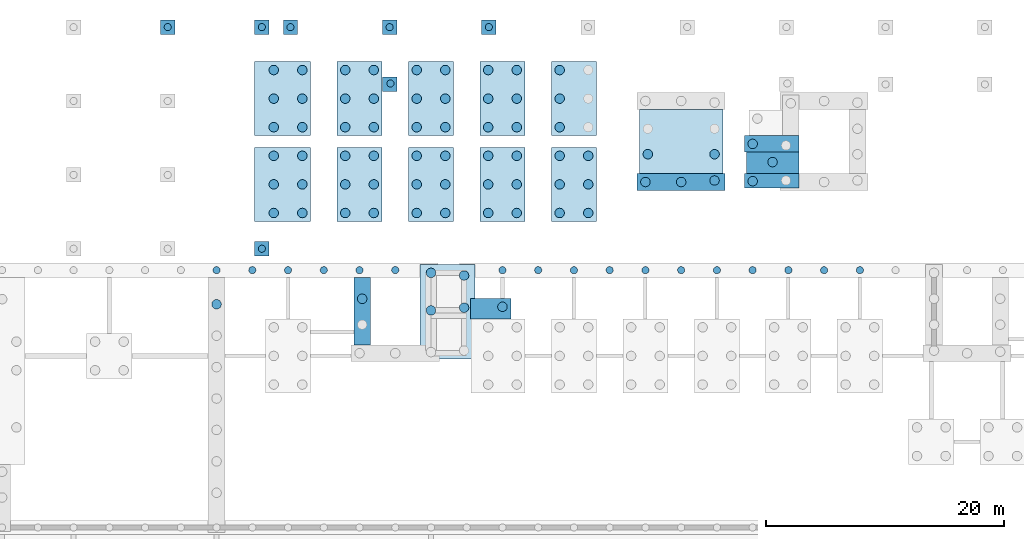
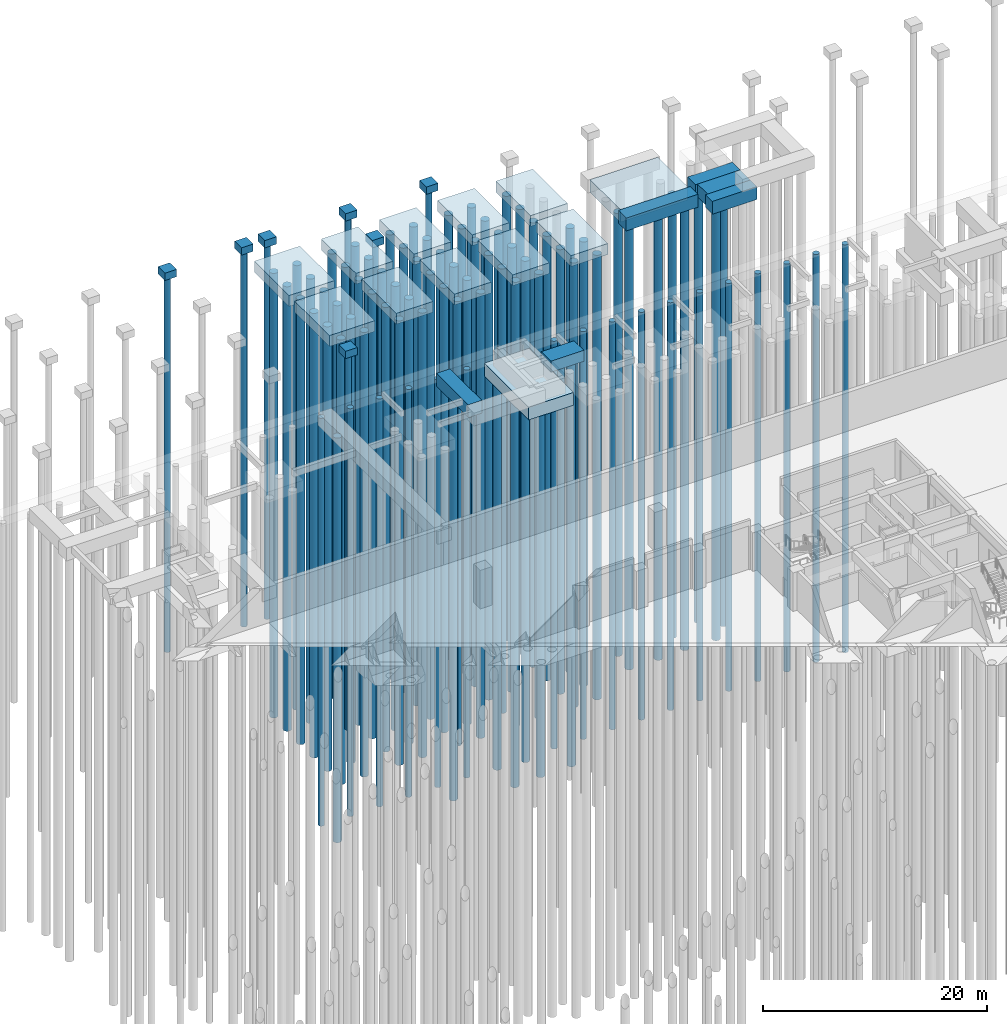
# One storey, part 6 of 37: 96 piles, 25 footings.
"""IFC4 building model written with IfcOpenShell, lengths in metres."""

import ifcopenshell
import ifcopenshell.guid

model = None  # the IFC model being written
_history = None  # IfcOwnerHistory: only IFC2X3 demands one
_inside = {}  # id of a spatial element -> (the spatial element, [elements in it])
_under = {}  # id of a project, library or spatial element -> (it, [spatial elements below it])
_declared = {}  # id of a project -> (the project, [libraries it declares])
_typed = {}  # id of a type object -> (the type object, [elements of that type])
_made_of = {}  # id of a material, layer set ... -> (it, [elements and type objects made of it])


def new_model(schema):
    """Start an empty IFC model of exactly this schema.

    Asked for "IFC4X3", IfcOpenShell would pick the latest addendum, in which some entities
    have other attributes; the version numbers below select the first issue.
    IFC2X3 requires an IfcOwnerHistory on every rooted entity: one is made here for all.
    """
    global model, _history
    if schema == "IFC4X3":
        model = ifcopenshell.file(schema_version=(4, 3, 0, 0))
    else:
        model = ifcopenshell.file(schema=schema)
    _inside.clear()
    _under.clear()
    _declared.clear()
    _typed.clear()
    _made_of.clear()
    _history = None
    if model.schema == "IFC2X3":
        org = make("IfcOrganization", Name="unknown")
        user = make(
            "IfcPersonAndOrganization",
            ThePerson=make("IfcPerson", FamilyName="unknown"),
            TheOrganization=org,
        )
        app = make(
            "IfcApplication",
            ApplicationDeveloper=org,
            Version="unknown",
            ApplicationFullName="unknown",
            ApplicationIdentifier="unknown",
        )
        _history = make(
            "IfcOwnerHistory",
            OwningUser=user,
            OwningApplication=app,
            ChangeAction="ADDED",
            CreationDate=0,
        )
    return model


def make(cls, **values):
    """One entity of the class cls with the attributes given. An attribute that is None is left unset."""
    return model.create_entity(
        cls, **{name: value for name, value in values.items() if value is not None}
    )


def rooted(cls, **values):
    """An entity with a GlobalId (a new one), such as an element, a storey or a relation."""
    return make(cls, GlobalId=ifcopenshell.guid.new(), OwnerHistory=_history, **values)


def si_unit(unit_type, name, prefix=None):
    """IfcSIUnit, for example si_unit("LENGTHUNIT", "METRE", prefix="MILLI")."""
    return make("IfcSIUnit", UnitType=unit_type, Prefix=prefix, Name=name)


def assignment(units):
    """IfcUnitAssignment: the units of a project."""
    return None if units is None else make("IfcUnitAssignment", Units=units)


def point(xyz):
    """IfcCartesianPoint."""
    return None if xyz is None else make("IfcCartesianPoint", Coordinates=xyz)


def direction(xyz):
    """IfcDirection."""
    return None if xyz is None else make("IfcDirection", DirectionRatios=xyz)


def frame(location, z_axis=None, x_axis=None):
    """IfcAxis2Placement3D, a coordinate frame: its origin and axes. An axis left out is left unset."""
    return make(
        "IfcAxis2Placement3D",
        Location=point(location),
        Axis=direction(z_axis),
        RefDirection=direction(x_axis),
    )


def frame_2d(location, x_axis=None):
    """IfcAxis2Placement2D, a coordinate frame in the plane: its origin and x axis."""
    return make(
        "IfcAxis2Placement2D", Location=point(location), RefDirection=direction(x_axis)
    )


def origin():
    """The frame at (0, 0, 0) with its axes left unset."""
    return frame((0.0, 0.0, 0.0))


def origin_2d():
    """The frame at (0, 0) in the plane with its x axis left unset."""
    return frame_2d((0.0, 0.0))


def place(relative_to, where):
    """IfcLocalPlacement: puts the frame where relative to a parent placement (None: the world)."""
    return make(
        "IfcLocalPlacement", PlacementRelTo=relative_to, RelativePlacement=where
    )


def context(
    kind, dimensions, precision=None, world=None, true_north=None, identifier=None
):
    """IfcGeometricRepresentationContext, for example the 3D "Model" context."""
    return make(
        "IfcGeometricRepresentationContext",
        ContextIdentifier=identifier,
        ContextType=kind,
        CoordinateSpaceDimension=dimensions,
        Precision=precision,
        WorldCoordinateSystem=world,
        TrueNorth=true_north,
    )


def subcontext(parent, identifier, kind, view, scale=None):
    """IfcGeometricRepresentationSubContext, for example "Body" below "Model"."""
    return make(
        "IfcGeometricRepresentationSubContext",
        ContextIdentifier=identifier,
        ContextType=kind,
        ParentContext=parent,
        TargetScale=scale,
        TargetView=view,
    )


def project(units=None, contexts=None):
    """IfcProject with its units and contexts."""
    return rooted(
        "IfcProject",
        Name="project",
        RepresentationContexts=contexts,
        UnitsInContext=assignment(units),
    )


def spatial(cls, under=None, at=None, **own):
    """A site, building, storey or space (cls), placed at a placement, below another one or the project."""
    s = rooted(cls, ObjectPlacement=at, **own)
    if under is not None:
        _under.setdefault(under.id(), (under, []))[1].append(s)
    return s


def polyline(points):
    """IfcPolyline through the points."""
    return make("IfcPolyline", Points=[point(p) for p in points])


def profile(cls, at=None, kind="AREA", **sizes):
    """A parametric profile (cls). Its sizes go by their IFC names, for example OverallWidth=200.0."""
    return make(cls, ProfileType=kind, Position=at, **sizes)


def circle(**sizes):
    """IfcCircleProfileDef."""
    return profile("IfcCircleProfileDef", **sizes)


def outline(outer, holes=None, kind="AREA"):
    """IfcArbitraryClosedProfileDef: a profile drawn as a closed curve; with holes, ...WithVoids."""
    if holes is None:
        return make("IfcArbitraryClosedProfileDef", ProfileType=kind, OuterCurve=outer)
    return make(
        "IfcArbitraryProfileDefWithVoids",
        ProfileType=kind,
        OuterCurve=outer,
        InnerCurves=holes,
    )


def extrude(swept, where, along, depth):
    """IfcExtrudedAreaSolid: the profile swept, set in the frame where, extruded along a direction by depth."""
    return make(
        "IfcExtrudedAreaSolid",
        SweptArea=swept,
        Position=where,
        ExtrudedDirection=direction(along),
        Depth=depth,
    )


def shape(context_of_items, identifier, shape_type, items):
    """IfcShapeRepresentation: the items that make up one representation, for example the "Body"."""
    return make(
        "IfcShapeRepresentation",
        ContextOfItems=context_of_items,
        RepresentationIdentifier=identifier,
        RepresentationType=shape_type,
        Items=items,
    )


def material(Name=None, Category=None):
    """IfcMaterial."""
    return make("IfcMaterial", Name=Name, Category=Category)


def layer(
    of_material, thickness, ventilated=None, Name=None, Category=None, Priority=None
):
    """IfcMaterialLayer: one layer of a wall or slab, of a material (None: an air gap)."""
    return make(
        "IfcMaterialLayer",
        Material=of_material,
        LayerThickness=thickness,
        IsVentilated=ventilated,
        Name=Name,
        Category=Category,
        Priority=Priority,
    )


def layer_set(layers, Name=None):
    """IfcMaterialLayerSet."""
    return make("IfcMaterialLayerSet", MaterialLayers=layers, LayerSetName=Name)


def material_profile(
    of_material, cross_section, Name=None, Category=None, Priority=None
):
    """IfcMaterialProfile: a cross section and its material."""
    return make(
        "IfcMaterialProfile",
        Name=Name,
        Material=of_material,
        Profile=cross_section,
        Priority=Priority,
        Category=Category,
    )


def profile_set(profiles, Name=None, composite=None):
    """IfcMaterialProfileSet."""
    return make(
        "IfcMaterialProfileSet",
        Name=Name,
        MaterialProfiles=profiles,
        CompositeProfile=composite,
    )


def made_of(thing, what):
    """Note that an element or type object is made of a material, layer set ...; save() writes the relation."""
    if what is not None:
        _made_of.setdefault(what.id(), (what, []))[1].append(thing)
    return thing


def type_object(cls, material=None, **own):
    """A type object (cls), such as IfcWallType, which elements share."""
    return made_of(rooted(cls, **own), material)


def element(
    cls,
    number,
    at=None,
    inside=None,
    cuts=None,
    type_object=None,
    material=None,
    context=None,
    identifier="Body",
    shape_type=None,
    held_by="IfcProductDefinitionShape",
    body=None,
    shapes=None,
    **own,
):
    """One element of the class cls, such as IfcWall. Its Tag is "e" and its number.

    at: its placement. inside: the storey or other place that contains it. cuts: it is an
    opening in that element (IfcRelVoidsElement). A single representation is given by context,
    identifier, shape_type and body (its items); several are given by shapes. held_by: the class
    of the entity that holds the representations. save() writes the other relations.
    """
    e = rooted(cls, Tag="e%d" % number, ObjectPlacement=at, **own)
    if body is not None:
        shapes = [shape(context, identifier, shape_type, body)]
    if shapes is not None:
        e.Representation = make(held_by, Representations=shapes)
    if inside is not None:
        _inside.setdefault(inside.id(), (inside, []))[1].append(e)
    if cuts is not None:
        rooted(
            "IfcRelVoidsElement", RelatingBuildingElement=cuts, RelatedOpeningElement=e
        )
    if type_object is not None:
        _typed.setdefault(type_object.id(), (type_object, []))[1].append(e)
    return made_of(e, material)


def aggregate(whole, parts):
    """IfcRelAggregates: a whole, such as a stair, and the parts it consists of."""
    return rooted("IfcRelAggregates", RelatingObject=whole, RelatedObjects=parts)


def save(model, path):
    """Write the relations noted so far, then the file.

    IfcRelAggregates (storeys below a building ...), IfcRelContainedInSpatialStructure (elements
    in a storey), IfcRelDefinesByType, IfcRelAssociatesMaterial and IfcRelDeclares: one each for
    every whole, place, type object, material and project.
    """
    for whole, parts in _under.values():
        aggregate(whole, parts)
    for where, things in _inside.values():
        rooted(
            "IfcRelContainedInSpatialStructure",
            RelatedElements=things,
            RelatingStructure=where,
        )
    for kind, things in _typed.values():
        rooted("IfcRelDefinesByType", RelatedObjects=things, RelatingType=kind)
    for what, things in _made_of.values():
        rooted("IfcRelAssociatesMaterial", RelatedObjects=things, RelatingMaterial=what)
    for by, libraries in _declared.values():
        rooted("IfcRelDeclares", RelatingContext=by, RelatedDefinitions=libraries)
    model.write(path)


model = new_model("IFC4")

# Units and contexts
model_context = context("Model", 3, precision=1e-05, world=origin(), true_north=direction((0.0, 1.0)))
body_context = subcontext(model_context, "Body", "Model", "MODEL_VIEW")
ifc_project = project(units=[si_unit("LENGTHUNIT", "METRE"), si_unit("AREAUNIT", "SQUARE_METRE"), si_unit("VOLUMEUNIT", "CUBIC_METRE"), si_unit("PLANEANGLEUNIT", "RADIAN"), si_unit("MASSUNIT", "GRAM", prefix="KILO")], contexts=[model_context])

# Site, building, storey
site_placement = place(None, origin())
site = spatial("IfcSite", under=ifc_project, at=site_placement, CompositionType="ELEMENT")
building_placement = place(site_placement, origin())
building = spatial("IfcBuilding", under=site, at=building_placement, Name="Laocheng Heights Fire and Rescue Headquarters", CompositionType="ELEMENT")
storey_placement = place(building_placement, origin())
storey = spatial("IfcBuildingStorey", under=building, at=storey_placement, Name="L00", CompositionType="ELEMENT", Elevation=0.0)

# Piles
ifc_material_1 = material(Name="Concrete C35", Category="concrete")
ifc_material_profile_1 = material_profile(ifc_material_1, circle(Radius=0.300048828125, at=origin_2d()), Name="BORED PILE D600")
ifc_profile_set_1 = profile_set([ifc_material_profile_1], Name="Concrete C35")
pile_type_1 = type_object("IfcPileType", Name="BORED PILE D600", PredefinedType="BORED", material=ifc_profile_set_1)
for number, where, z_axis, x_axis, name in (
    (1, (30.0, 57.60009765625, 2.949951171875), (0.0, 0.0, -1.0), (1.0, 0.0, 0.0), "Bored pile D600"),
    (2, (33.0, 57.60009765625, 2.949951171875), (0.0, 0.0, -1.0), (1.0, 0.0, 0.0), "Bored pile D600"),
    (3, (36.0, 57.60009765625, 2.949951171875), (0.0, 0.0, -1.0), (1.0, 0.0, 0.0), "Bored pile D600"),
    (4, (39.0, 57.60009765625, 2.949951171875), (0.0, 0.0, -1.0), (1.0, 0.0, 0.0), "Bored pile D600"),
    (5, (42.0, 57.60009765625, 2.949951171875), (0.0, 0.0, -1.0), (1.0, 0.0, 0.0), "Bored pile D600"),
    (6, (45.0, 57.60009765625, 2.949951171875), (0.0, 0.0, -1.0), (1.0, 0.0, 0.0), "Bored pile D600"),
    (7, (54.0, 57.60009765625, 2.949951171875), (0.0, 0.0, -1.0), (1.0, 0.0, 0.0), "Bored pile D600"),
    (8, (57.0, 57.60009765625, 2.949951171875), (0.0, 0.0, -1.0), (1.0, 0.0, 0.0), "Bored pile D600"),
    (9, (60.0, 57.60009765625, 2.949951171875), (0.0, 0.0, -1.0), (1.0, 0.0, 0.0), "Bored pile D600"),
    (10, (63.0, 57.60009765625, 2.949951171875), (0.0, 0.0, -1.0), (1.0, 0.0, 0.0), "Bored pile D600"),
    (11, (66.0, 57.60009765625, 2.949951171875), (0.0, 0.0, -1.0), (1.0, 0.0, 0.0), "Bored pile D600"),
    (12, (69.0, 57.60009765625, 2.949951171875), (0.0, 0.0, -1.0), (1.0, 0.0, 0.0), "Bored pile D600"),
    (13, (72.0, 57.60009765625, 2.949951171875), (0.0, 0.0, -1.0), (1.0, 0.0, 0.0), "Bored pile D600"),
    (14, (75.0, 57.60009765625, 2.949951171875), (0.0, 0.0, -1.0), (1.0, 0.0, 0.0), "Bored pile D600"),
    (15, (78.0, 57.60009765625, 2.949951171875), (0.0, 0.0, -1.0), (1.0, 0.0, 0.0), "Bored pile D600"),
    (16, (81.0, 57.60009765625, 2.949951171875), (0.0, 0.0, -1.0), (1.0, 0.0, 0.0), "Bored pile D600"),
    (17, (84.0, 57.60009765625, 2.949951171875), (0.0, 0.0, -1.0), (1.0, 0.0, 0.0), "Bored pile D600"),
):
    element("IfcPile", number, at=place(storey_placement, frame(where, z_axis=z_axis, x_axis=x_axis)), inside=storey, type_object=pile_type_1, Name=name, PredefinedType="BORED", context=body_context, shape_type="SweptSolid", body=[
        extrude(circle(Radius=0.300048828125, at=origin_2d()), origin(), (0.0, 0.0, 1.0), 44.449951171875),
    ])
pile_1_placement = place(storey_placement, frame((33.800048828125, 59.39990234375, 7.39990234375), z_axis=(0.0, 0.0, -1.0), x_axis=(1.0, 0.0, 0.0)))
element("IfcPile", 18, at=pile_1_placement, inside=storey, type_object=pile_type_1, Name="Bored pile D600", PredefinedType="BORED", context=body_context, shape_type="SweptSolid", body=[
    extrude(circle(Radius=0.300048828125, at=origin_2d()), origin(), (0.0, 0.0, 1.0), 40.89990234375),
])
pile_2_placement = place(storey_placement, frame((44.597412109375, 73.27001953125, 7.35009765625), z_axis=(0.0, 0.0, -1.0), x_axis=(1.0, 0.0, 0.0)))
element("IfcPile", 19, at=pile_2_placement, inside=storey, type_object=pile_type_1, Name="Bored pile D600", PredefinedType="BORED", context=body_context, shape_type="SweptSolid", body=[
    extrude(circle(Radius=0.300048828125, at=origin_2d()), origin(), (0.0, 0.0, 1.0), 40.85009765625),
])
for number, where, z_axis, x_axis, name in (
    (20, (25.89990234375, 78.0, 7.39990234375), (0.0, 0.0, -1.0), (1.0, 0.0, 0.0), "Bored pile D600"),
    (21, (33.800048828125, 78.0, 7.39990234375), (0.0, 0.0, -1.0), (1.0, 0.0, 0.0), "Bored pile D600"),
):
    element("IfcPile", number, at=place(storey_placement, frame(where, z_axis=z_axis, x_axis=x_axis)), inside=storey, type_object=pile_type_1, Name=name, PredefinedType="BORED", context=body_context, shape_type="SweptSolid", body=[
        extrude(circle(Radius=0.300048828125, at=origin_2d()), origin(), (0.0, 0.0, 1.0), 40.89990234375),
    ])
for number, where, z_axis, x_axis, name in (
    (22, (36.199951171875, 78.0, 7.35009765625), (0.0, 0.0, -1.0), (1.0, 0.0, 0.0), "Bored pile D600"),
    (23, (44.52734375, 78.0, 7.35009765625), (0.0, 0.0, -1.0), (1.0, 0.0, 0.0), "Bored pile D600"),
    (24, (52.8544921875, 78.0, 7.35009765625), (0.0, 0.0, -1.0), (1.0, 0.0, 0.0), "Bored pile D600"),
):
    element("IfcPile", number, at=place(storey_placement, frame(where, z_axis=z_axis, x_axis=x_axis)), inside=storey, type_object=pile_type_1, Name=name, PredefinedType="BORED", context=body_context, shape_type="SweptSolid", body=[
        extrude(circle(Radius=0.300048828125, at=origin_2d()), origin(), (0.0, 0.0, 1.0), 40.85009765625),
    ])
ifc_material_2 = material(Name="Concrete C35", Category="concrete")
ifc_material_profile_2 = material_profile(ifc_material_2, circle(Radius=0.39990234375, at=origin_2d()), Name="BORED PILE D800")
ifc_profile_set_2 = profile_set([ifc_material_profile_2], Name="Concrete C35")
pile_type_2 = type_object("IfcPileType", Name="BORED PILE D800", PredefinedType="BORED", material=ifc_profile_set_2)
pile_3_placement = place(storey_placement, frame((30.0, 54.737548828125, 2.60009765625), z_axis=(0.0, 0.0, -1.0), x_axis=(1.0, 0.0, 0.0)))
element("IfcPile", 25, at=pile_3_placement, inside=storey, type_object=pile_type_2, Name="Bored pile D800", PredefinedType="BORED", context=body_context, shape_type="SweptSolid", body=[
    extrude(circle(Radius=0.39990234375, at=origin_2d()), origin(), (0.0, 0.0, 1.0), 44.10009765625),
])
for number, where, z_axis, x_axis, name in (
    (26, (50.77490234375, 54.449951171875, 1.10009765625), (0.0, 0.0, -1.0), (1.0, 0.0, 0.0), "Bored pile D800"),
    (27, (50.77490234375, 57.14990234375, 1.10009765625), (0.0, 0.0, -1.0), (1.0, 0.0, 0.0), "Bored pile D800"),
    (28, (48.0, 57.375, 1.10009765625), (0.0, 0.0, -1.0), (1.0, 0.0, 0.0), "Bored pile D800"),
    (29, (48.0, 54.22509765625, 1.10009765625), (0.0, 0.0, -1.0), (1.0, 0.0, 0.0), "Bored pile D800"),
):
    element("IfcPile", number, at=place(storey_placement, frame(where, z_axis=z_axis, x_axis=x_axis)), inside=storey, type_object=pile_type_2, Name=name, PredefinedType="BORED", context=body_context, shape_type="SweptSolid", body=[
        extrude(circle(Radius=0.39990234375, at=origin_2d()), origin(), (0.0, 0.0, 1.0), 42.60009765625),
    ])
pile_4_placement = place(storey_placement, frame((42.22509765625, 55.199951171875, 2.60009765625), z_axis=(0.0, 0.0, -1.0), x_axis=(1.0, 0.0, 0.0)))
element("IfcPile", 30, at=pile_4_placement, inside=storey, type_object=pile_type_2, Name="Bored pile D800", PredefinedType="BORED", context=body_context, shape_type="SweptSolid", body=[
    extrude(circle(Radius=0.39990234375, at=origin_2d()), origin(), (0.0, 0.0, 1.0), 44.10009765625),
])
pile_5_placement = place(storey_placement, frame((54.0, 54.52490234375, 2.800048828125), z_axis=(0.0, 0.0, -1.0), x_axis=(1.0, 0.0, 0.0)))
element("IfcPile", 31, at=pile_5_placement, inside=storey, type_object=pile_type_2, Name="Bored pile D800", PredefinedType="BORED", context=body_context, shape_type="SweptSolid", body=[
    extrude(circle(Radius=0.39990234375, at=origin_2d()), origin(), (0.0, 0.0, 1.0), 44.300048828125),
])
for number, where, z_axis, x_axis, name in (
    (32, (34.800048828125, 62.39990234375, 6.949951171875), (0.0, 0.0, -1.0), (1.0, 0.0, 0.0), "Bored pile D800"),
    (33, (37.199951171875, 62.39990234375, 6.949951171875), (0.0, 0.0, -1.0), (1.0, 0.0, 0.0), "Bored pile D800"),
    (34, (34.800048828125, 64.800048828125, 6.949951171875), (0.0, 0.0, -1.0), (1.0, 0.0, 0.0), "Bored pile D800"),
    (35, (37.199951171875, 64.800048828125, 6.949951171875), (0.0, 0.0, -1.0), (1.0, 0.0, 0.0), "Bored pile D800"),
    (36, (34.800048828125, 67.199951171875, 6.949951171875), (0.0, 0.0, -1.0), (1.0, 0.0, 0.0), "Bored pile D800"),
    (37, (37.199951171875, 67.199951171875, 6.949951171875), (0.0, 0.0, -1.0), (1.0, 0.0, 0.0), "Bored pile D800"),
    (38, (40.800048828125, 62.39990234375, 6.949951171875), (0.0, 0.0, -1.0), (1.0, 0.0, 0.0), "Bored pile D800"),
    (39, (43.199951171875, 62.39990234375, 6.949951171875), (0.0, 0.0, -1.0), (1.0, 0.0, 0.0), "Bored pile D800"),
    (40, (40.800048828125, 64.800048828125, 6.949951171875), (0.0, 0.0, -1.0), (1.0, 0.0, 0.0), "Bored pile D800"),
    (41, (43.199951171875, 64.800048828125, 6.949951171875), (0.0, 0.0, -1.0), (1.0, 0.0, 0.0), "Bored pile D800"),
    (42, (40.800048828125, 67.199951171875, 6.949951171875), (0.0, 0.0, -1.0), (1.0, 0.0, 0.0), "Bored pile D800"),
    (43, (43.199951171875, 67.199951171875, 6.949951171875), (0.0, 0.0, -1.0), (1.0, 0.0, 0.0), "Bored pile D800"),
    (44, (46.800048828125, 62.39990234375, 6.949951171875), (0.0, 0.0, -1.0), (1.0, 0.0, 0.0), "Bored pile D800"),
    (45, (49.199951171875, 62.39990234375, 6.949951171875), (0.0, 0.0, -1.0), (1.0, 0.0, 0.0), "Bored pile D800"),
    (46, (46.800048828125, 64.800048828125, 6.949951171875), (0.0, 0.0, -1.0), (1.0, 0.0, 0.0), "Bored pile D800"),
    (47, (49.199951171875, 64.800048828125, 6.949951171875), (0.0, 0.0, -1.0), (1.0, 0.0, 0.0), "Bored pile D800"),
    (48, (46.800048828125, 67.199951171875, 6.949951171875), (0.0, 0.0, -1.0), (1.0, 0.0, 0.0), "Bored pile D800"),
    (49, (49.199951171875, 67.199951171875, 6.949951171875), (0.0, 0.0, -1.0), (1.0, 0.0, 0.0), "Bored pile D800"),
    (50, (52.800048828125, 62.39990234375, 6.949951171875), (0.0, 0.0, -1.0), (1.0, 0.0, 0.0), "Bored pile D800"),
    (51, (55.199951171875, 62.39990234375, 6.949951171875), (0.0, 0.0, -1.0), (1.0, 0.0, 0.0), "Bored pile D800"),
    (52, (52.800048828125, 64.800048828125, 6.949951171875), (0.0, 0.0, -1.0), (1.0, 0.0, 0.0), "Bored pile D800"),
    (53, (55.199951171875, 64.800048828125, 6.949951171875), (0.0, 0.0, -1.0), (1.0, 0.0, 0.0), "Bored pile D800"),
    (54, (52.800048828125, 67.199951171875, 6.949951171875), (0.0, 0.0, -1.0), (1.0, 0.0, 0.0), "Bored pile D800"),
    (55, (55.199951171875, 67.199951171875, 6.949951171875), (0.0, 0.0, -1.0), (1.0, 0.0, 0.0), "Bored pile D800"),
    (56, (58.800048828125, 62.39990234375, 6.949951171875), (0.0, 0.0, -1.0), (1.0, 0.0, 0.0), "Bored pile D800"),
    (57, (61.199951171875, 62.39990234375, 6.949951171875), (0.0, 0.0, -1.0), (1.0, 0.0, 0.0), "Bored pile D800"),
    (58, (58.800048828125, 64.800048828125, 6.949951171875), (0.0, 0.0, -1.0), (1.0, 0.0, 0.0), "Bored pile D800"),
    (59, (61.199951171875, 64.800048828125, 6.949951171875), (0.0, 0.0, -1.0), (1.0, 0.0, 0.0), "Bored pile D800"),
    (60, (58.800048828125, 67.199951171875, 6.949951171875), (0.0, 0.0, -1.0), (1.0, 0.0, 0.0), "Bored pile D800"),
    (61, (61.199951171875, 67.199951171875, 6.949951171875), (0.0, 0.0, -1.0), (1.0, 0.0, 0.0), "Bored pile D800"),
):
    element("IfcPile", number, at=place(storey_placement, frame(where, z_axis=z_axis, x_axis=x_axis)), inside=storey, type_object=pile_type_2, Name=name, PredefinedType="BORED", context=body_context, shape_type="SweptSolid", body=[
        extrude(circle(Radius=0.39990234375, at=origin_2d()), origin(), (0.0, 0.0, 1.0), 48.449951171875),
    ])
for number, where, z_axis, x_axis, name in (
    (62, (71.800048828125, 65.1298828125, 6.75), (0.0, 0.0, -1.0), (1.0, 0.0, 0.0), "Bored pile D800"),
    (63, (66.0, 65.0, 6.75), (0.0, 0.0, -1.0), (1.0, 0.0, 0.0), "Bored pile D800"),
    (64, (69.0, 65.0, 6.75), (0.0, 0.0, -1.0), (1.0, 0.0, 0.0), "Bored pile D800"),
):
    element("IfcPile", number, at=place(storey_placement, frame(where, z_axis=z_axis, x_axis=x_axis)), inside=storey, type_object=pile_type_2, Name=name, PredefinedType="BORED", context=body_context, shape_type="SweptSolid", body=[
        extrude(circle(Radius=0.39990234375, at=origin_2d()), origin(), (0.0, 0.0, 1.0), 48.25),
    ])
for number, where, z_axis, x_axis, name in (
    (65, (75.0, 65.070068359375, 5.300048828125), (0.0, 0.0, -1.0), (1.0, 0.0, 0.0), "Bored pile D800"),
    (66, (76.669921875, 66.669921875, 5.300048828125), (0.0, 0.0, -1.0), (1.0, 0.0, 0.0), "Bored pile D800"),
    (67, (75.0, 68.199951171875, 5.300048828125), (0.0, 0.0, -1.0), (1.0, 0.0, 0.0), "Bored pile D800"),
):
    element("IfcPile", number, at=place(storey_placement, frame(where, z_axis=z_axis, x_axis=x_axis)), inside=storey, type_object=pile_type_2, Name=name, PredefinedType="BORED", context=body_context, shape_type="SweptSolid", body=[
        extrude(circle(Radius=0.39990234375, at=origin_2d()), origin(), (0.0, 0.0, 1.0), 46.800048828125),
    ])
for number, where, z_axis, x_axis, name in (
    (68, (71.800048828125, 67.333251953125, 6.75), (0.0, 0.0, -1.0), (1.0, 0.0, 0.0), "Bored pile D800"),
    (69, (66.199951171875, 67.333251953125, 6.75), (0.0, 0.0, -1.0), (1.0, 0.0, 0.0), "Bored pile D800"),
):
    element("IfcPile", number, at=place(storey_placement, frame(where, z_axis=z_axis, x_axis=x_axis)), inside=storey, type_object=pile_type_2, Name=name, PredefinedType="BORED", context=body_context, shape_type="SweptSolid", body=[
        extrude(circle(Radius=0.39990234375, at=origin_2d()), origin(), (0.0, 0.0, 1.0), 48.25),
    ])
for number, where, z_axis, x_axis, name in (
    (70, (34.800048828125, 69.60009765625, 6.949951171875), (0.0, 0.0, -1.0), (1.0, 0.0, 0.0), "Bored pile D800"),
    (71, (37.199951171875, 69.60009765625, 6.949951171875), (0.0, 0.0, -1.0), (1.0, 0.0, 0.0), "Bored pile D800"),
    (72, (34.800048828125, 72.0, 6.949951171875), (0.0, 0.0, -1.0), (1.0, 0.0, 0.0), "Bored pile D800"),
    (73, (37.199951171875, 72.0, 6.949951171875), (0.0, 0.0, -1.0), (1.0, 0.0, 0.0), "Bored pile D800"),
    (74, (34.800048828125, 74.39990234375, 6.949951171875), (0.0, 0.0, -1.0), (1.0, 0.0, 0.0), "Bored pile D800"),
    (75, (37.199951171875, 74.39990234375, 6.949951171875), (0.0, 0.0, -1.0), (1.0, 0.0, 0.0), "Bored pile D800"),
    (76, (40.800048828125, 69.60009765625, 6.949951171875), (0.0, 0.0, -1.0), (1.0, 0.0, 0.0), "Bored pile D800"),
    (77, (43.199951171875, 69.60009765625, 6.949951171875), (0.0, 0.0, -1.0), (1.0, 0.0, 0.0), "Bored pile D800"),
    (78, (40.800048828125, 72.0, 6.949951171875), (0.0, 0.0, -1.0), (1.0, 0.0, 0.0), "Bored pile D800"),
    (79, (43.199951171875, 72.0, 6.949951171875), (0.0, 0.0, -1.0), (1.0, 0.0, 0.0), "Bored pile D800"),
    (80, (40.800048828125, 74.39990234375, 6.949951171875), (0.0, 0.0, -1.0), (1.0, 0.0, 0.0), "Bored pile D800"),
    (81, (43.199951171875, 74.39990234375, 6.949951171875), (0.0, 0.0, -1.0), (1.0, 0.0, 0.0), "Bored pile D800"),
    (82, (46.800048828125, 69.60009765625, 6.949951171875), (0.0, 0.0, -1.0), (1.0, 0.0, 0.0), "Bored pile D800"),
    (83, (49.199951171875, 69.60009765625, 6.949951171875), (0.0, 0.0, -1.0), (1.0, 0.0, 0.0), "Bored pile D800"),
    (84, (46.800048828125, 72.0, 6.949951171875), (0.0, 0.0, -1.0), (1.0, 0.0, 0.0), "Bored pile D800"),
    (85, (49.199951171875, 72.0, 6.949951171875), (0.0, 0.0, -1.0), (1.0, 0.0, 0.0), "Bored pile D800"),
    (86, (46.800048828125, 74.39990234375, 6.949951171875), (0.0, 0.0, -1.0), (1.0, 0.0, 0.0), "Bored pile D800"),
    (87, (49.199951171875, 74.39990234375, 6.949951171875), (0.0, 0.0, -1.0), (1.0, 0.0, 0.0), "Bored pile D800"),
    (88, (52.800048828125, 69.60009765625, 6.949951171875), (0.0, 0.0, -1.0), (1.0, 0.0, 0.0), "Bored pile D800"),
    (89, (55.199951171875, 69.60009765625, 6.949951171875), (0.0, 0.0, -1.0), (1.0, 0.0, 0.0), "Bored pile D800"),
    (90, (52.800048828125, 72.0, 6.949951171875), (0.0, 0.0, -1.0), (1.0, 0.0, 0.0), "Bored pile D800"),
    (91, (55.199951171875, 72.0, 6.949951171875), (0.0, 0.0, -1.0), (1.0, 0.0, 0.0), "Bored pile D800"),
    (92, (52.800048828125, 74.39990234375, 6.949951171875), (0.0, 0.0, -1.0), (1.0, 0.0, 0.0), "Bored pile D800"),
    (93, (55.199951171875, 74.39990234375, 6.949951171875), (0.0, 0.0, -1.0), (1.0, 0.0, 0.0), "Bored pile D800"),
    (94, (58.800048828125, 69.60009765625, 6.949951171875), (0.0, 0.0, -1.0), (1.0, 0.0, 0.0), "Bored pile D800"),
    (95, (58.800048828125, 72.0, 6.949951171875), (0.0, 0.0, -1.0), (1.0, 0.0, 0.0), "Bored pile D800"),
    (96, (58.800048828125, 74.39990234375, 6.949951171875), (0.0, 0.0, -1.0), (1.0, 0.0, 0.0), "Bored pile D800"),
):
    element("IfcPile", number, at=place(storey_placement, frame(where, z_axis=z_axis, x_axis=x_axis)), inside=storey, type_object=pile_type_2, Name=name, PredefinedType="BORED", context=body_context, shape_type="SweptSolid", body=[
        extrude(circle(Radius=0.39990234375, at=origin_2d()), origin(), (0.0, 0.0, 1.0), 48.449951171875),
    ])

# Footings
ifc_material_3 = material(Name="Concrete C40", Category="concrete")
ifc_layer_1 = layer(ifc_material_3, 0.800048828125)
ifc_layer_set_1 = layer_set([ifc_layer_1], Name="Concrete C40")
footing_type_1 = type_object("IfcFootingType", Name="RC PILE CAP 1200x1200x800 ON 1 D600 PILES", PredefinedType="PILE_CAP", material=ifc_layer_set_1)
footing_1_placement = place(storey_placement, frame((0.0, 0.0, 7.39990234375)))
element("IfcFooting", 97, at=footing_1_placement, inside=storey, type_object=footing_type_1, Name="Pile cap", PredefinedType="PILE_CAP", context=body_context, shape_type="SweptSolid", body=[
    extrude(outline(polyline([(33.199951171875, 58.800048828125), (34.39990234375, 58.800048828125), (34.39990234375, 60.0), (33.199951171875, 60.0), (33.199951171875, 58.800048828125)])), origin(), (0.0, 0.0, 1.0), 0.800048828125),
])
footing_2_placement = place(storey_placement, frame((0.0, 0.0, 7.35009765625)))
element("IfcFooting", 98, at=footing_2_placement, inside=storey, type_object=footing_type_1, Name="Pile cap", PredefinedType="PILE_CAP", context=body_context, shape_type="SweptSolid", body=[
    extrude(outline(polyline([(43.92724609375, 72.60009765625), (45.127197265625, 72.60009765625), (45.127197265625, 73.800048828125), (43.92724609375, 73.800048828125), (43.92724609375, 72.60009765625)])), origin(), (0.0, 0.0, 1.0), 0.7998046875),
])
footing_3_placement = place(storey_placement, frame((0.0, 0.0, 7.39990234375)))
element("IfcFooting", 99, at=footing_3_placement, inside=storey, type_object=footing_type_1, Name="Pile cap", PredefinedType="PILE_CAP", context=body_context, shape_type="SweptSolid", body=[
    extrude(outline(polyline([(25.300048828125, 77.39990234375), (26.5, 77.39990234375), (26.5, 78.60009765625), (25.300048828125, 78.60009765625), (25.300048828125, 77.39990234375)])), origin(), (0.0, 0.0, 1.0), 0.800048828125),
])
footing_4_placement = place(storey_placement, frame((0.0, 0.0, 7.39990234375)))
element("IfcFooting", 100, at=footing_4_placement, inside=storey, type_object=footing_type_1, Name="Pile cap", PredefinedType="PILE_CAP", context=body_context, shape_type="SweptSolid", body=[
    extrude(outline(polyline([(33.199951171875, 77.39990234375), (34.39990234375, 77.39990234375), (34.39990234375, 78.60009765625), (33.199951171875, 78.60009765625), (33.199951171875, 77.39990234375)])), origin(), (0.0, 0.0, 1.0), 0.800048828125),
])
footing_5_placement = place(storey_placement, frame((0.0, 0.0, 7.35009765625)))
element("IfcFooting", 101, at=footing_5_placement, inside=storey, type_object=footing_type_1, Name="Pile cap", PredefinedType="PILE_CAP", context=body_context, shape_type="SweptSolid", body=[
    extrude(outline(polyline([(35.60009765625, 77.39990234375), (36.800048828125, 77.39990234375), (36.800048828125, 78.60009765625), (35.60009765625, 78.60009765625), (35.60009765625, 77.39990234375)])), origin(), (0.0, 0.0, 1.0), 0.7998046875),
])
footing_6_placement = place(storey_placement, frame((0.0, 0.0, 7.35009765625)))
element("IfcFooting", 102, at=footing_6_placement, inside=storey, type_object=footing_type_1, Name="Pile cap", PredefinedType="PILE_CAP", context=body_context, shape_type="SweptSolid", body=[
    extrude(outline(polyline([(43.92724609375, 77.39990234375), (45.127197265625, 77.39990234375), (45.127197265625, 78.60009765625), (43.92724609375, 78.60009765625), (43.92724609375, 77.39990234375)])), origin(), (0.0, 0.0, 1.0), 0.7998046875),
])
footing_7_placement = place(storey_placement, frame((0.0, 0.0, 7.35009765625)))
element("IfcFooting", 103, at=footing_7_placement, inside=storey, type_object=footing_type_1, Name="Pile cap", PredefinedType="PILE_CAP", context=body_context, shape_type="SweptSolid", body=[
    extrude(outline(polyline([(52.25439453125, 77.39990234375), (53.45458984375, 77.39990234375), (53.45458984375, 78.60009765625), (52.25439453125, 78.60009765625), (52.25439453125, 77.39990234375)])), origin(), (0.0, 0.0, 1.0), 0.7998046875),
])
ifc_material_4 = material(Name="Concrete C40", Category="concrete")
ifc_layer_2 = layer(ifc_material_4, 1.39990234375)
ifc_layer_set_2 = layer_set([ifc_layer_2], Name="Concrete C40")
footing_type_2 = type_object("IfcFootingType", Name="RC PILE CAP 1400x5675x1400 ON 2 D800 PILES", PredefinedType="PILE_CAP", material=ifc_layer_set_2)
footing_8_placement = place(storey_placement, frame((0.0, 0.0, 2.60009765625)))
element("IfcFooting", 104, at=footing_8_placement, inside=storey, type_object=footing_type_2, Name="Pile cap", PredefinedType="PILE_CAP", context=body_context, shape_type="SweptSolid", body=[
    extrude(outline(polyline([(42.925048828125, 51.324951171875), (42.925048828125, 57.0), (41.52490234375, 57.0), (41.52490234375, 51.324951171875), (42.925048828125, 51.324951171875)])), origin(), (0.0, 0.0, 1.0), 1.39990234375),
])
ifc_material_5 = material(Name="Concrete C40", Category="concrete")
ifc_layer_3 = layer(ifc_material_5, 1.199951171875)
ifc_layer_set_3 = layer_set([ifc_layer_3], Name="Concrete C40")
footing_type_3 = type_object("IfcFootingType", Name="RC PILE CAP 3400x1725x1200 ON 1 D800 PILES", PredefinedType="PILE_CAP", material=ifc_layer_set_3)
footing_9_placement = place(storey_placement, frame((0.0, 0.0, 2.800048828125)))
element("IfcFooting", 105, at=footing_9_placement, inside=storey, type_object=footing_type_3, Name="Pile cap", PredefinedType="PILE_CAP", context=body_context, shape_type="SweptSolid", body=[
    extrude(outline(polyline([(54.699951171875, 53.5), (54.699951171875, 55.22509765625), (51.300048828125, 55.22509765625), (51.300048828125, 53.5), (54.699951171875, 53.5)])), origin(), (0.0, 0.0, 1.0), 1.199951171875),
])
ifc_material_6 = material(Name="Concrete C40", Category="concrete")
ifc_layer_4 = layer(ifc_material_6, 1.199951171875)
ifc_layer_set_4 = layer_set([ifc_layer_4], Name="Concrete C40")
footing_type_4 = type_object("IfcFootingType", Name="RC PILE CAP 3800x6200x1200 ON 6 D800 PILES", PredefinedType="PILE_CAP", material=ifc_layer_set_4)
footing_10_placement = place(storey_placement, frame((0.0, 0.0, 6.949951171875)))
element("IfcFooting", 106, at=footing_10_placement, inside=storey, type_object=footing_type_4, Name="Pile cap", PredefinedType="PILE_CAP", context=body_context, shape_type="SweptSolid", body=[
    extrude(outline(polyline([(43.89990234375, 67.89990234375), (40.10009765625, 67.89990234375), (40.10009765625, 61.699951171875), (43.89990234375, 61.699951171875), (43.89990234375, 67.89990234375)])), origin(), (0.0, 0.0, 1.0), 1.199951171875),
])
footing_11_placement = place(storey_placement, frame((0.0, 0.0, 6.949951171875)))
element("IfcFooting", 107, at=footing_11_placement, inside=storey, type_object=footing_type_4, Name="Pile cap", PredefinedType="PILE_CAP", context=body_context, shape_type="SweptSolid", body=[
    extrude(outline(polyline([(49.89990234375, 67.89990234375), (46.10009765625, 67.89990234375), (46.10009765625, 61.699951171875), (49.89990234375, 61.699951171875), (49.89990234375, 67.89990234375)])), origin(), (0.0, 0.0, 1.0), 1.199951171875),
])
footing_12_placement = place(storey_placement, frame((0.0, 0.0, 6.949951171875)))
element("IfcFooting", 108, at=footing_12_placement, inside=storey, type_object=footing_type_4, Name="Pile cap", PredefinedType="PILE_CAP", context=body_context, shape_type="SweptSolid", body=[
    extrude(outline(polyline([(55.89990234375, 67.89990234375), (52.10009765625, 67.89990234375), (52.10009765625, 61.699951171875), (55.89990234375, 61.699951171875), (55.89990234375, 67.89990234375)])), origin(), (0.0, 0.0, 1.0), 1.199951171875),
])
footing_13_placement = place(storey_placement, frame((0.0, 0.0, 6.949951171875)))
element("IfcFooting", 109, at=footing_13_placement, inside=storey, type_object=footing_type_4, Name="Pile cap", PredefinedType="PILE_CAP", context=body_context, shape_type="SweptSolid", body=[
    extrude(outline(polyline([(61.89990234375, 67.89990234375), (58.10009765625, 67.89990234375), (58.10009765625, 61.699951171875), (61.89990234375, 61.699951171875), (61.89990234375, 67.89990234375)])), origin(), (0.0, 0.0, 1.0), 1.199951171875),
])
footing_14_placement = place(storey_placement, frame((0.0, 0.0, 6.949951171875)))
element("IfcFooting", 110, at=footing_14_placement, inside=storey, type_object=footing_type_4, Name="Pile cap", PredefinedType="PILE_CAP", context=body_context, shape_type="SweptSolid", body=[
    extrude(outline(polyline([(43.89990234375, 75.10009765625), (40.10009765625, 75.10009765625), (40.10009765625, 68.89990234375), (43.89990234375, 68.89990234375), (43.89990234375, 75.10009765625)])), origin(), (0.0, 0.0, 1.0), 1.199951171875),
])
footing_15_placement = place(storey_placement, frame((0.0, 0.0, 6.949951171875)))
element("IfcFooting", 111, at=footing_15_placement, inside=storey, type_object=footing_type_4, Name="Pile cap", PredefinedType="PILE_CAP", context=body_context, shape_type="SweptSolid", body=[
    extrude(outline(polyline([(49.89990234375, 75.10009765625), (46.10009765625, 75.10009765625), (46.10009765625, 68.89990234375), (49.89990234375, 68.89990234375), (49.89990234375, 75.10009765625)])), origin(), (0.0, 0.0, 1.0), 1.199951171875),
])
footing_16_placement = place(storey_placement, frame((0.0, 0.0, 6.949951171875)))
element("IfcFooting", 112, at=footing_16_placement, inside=storey, type_object=footing_type_4, Name="Pile cap", PredefinedType="PILE_CAP", context=body_context, shape_type="SweptSolid", body=[
    extrude(outline(polyline([(55.89990234375, 68.89990234375), (55.89990234375, 75.10009765625), (52.10009765625, 75.10009765625), (52.10009765625, 68.89990234375), (55.89990234375, 68.89990234375)])), origin(), (0.0, 0.0, 1.0), 1.199951171875),
])
footing_17_placement = place(storey_placement, frame((0.0, 0.0, 6.949951171875)))
element("IfcFooting", 113, at=footing_17_placement, inside=storey, type_object=footing_type_4, Name="Pile cap", PredefinedType="PILE_CAP", context=body_context, shape_type="SweptSolid", body=[
    extrude(outline(polyline([(61.89990234375, 68.89990234375), (61.89990234375, 75.10009765625), (58.10009765625, 75.10009765625), (58.10009765625, 68.89990234375), (61.89990234375, 68.89990234375)])), origin(), (0.0, 0.0, 1.0), 1.199951171875),
])
ifc_material_7 = material(Name="Concrete C40", Category="concrete")
ifc_layer_5 = layer(ifc_material_7, 1.39990234375)
ifc_layer_set_5 = layer_set([ifc_layer_5], Name="Concrete C40")
footing_type_5 = type_object("IfcFootingType", Name="RC PILE CAP 4400x1800x1400 ON 1 D800 PILES", PredefinedType="PILE_CAP", material=ifc_layer_set_5)
footing_18_placement = place(storey_placement, frame((0.0, 0.0, 5.300048828125)))
element("IfcFooting", 114, at=footing_18_placement, inside=storey, type_object=footing_type_5, Name="Pile cap", PredefinedType="PILE_CAP", context=body_context, shape_type="SweptSolid", body=[
    extrude(outline(polyline([(78.89990234375, 65.699951171875), (78.89990234375, 67.5), (74.5, 67.5), (74.5, 65.699951171875), (78.89990234375, 65.699951171875)])), origin(), (0.0, 0.0, 1.0), 1.39990234375),
])
ifc_material_8 = material(Name="Concrete C40", Category="concrete")
ifc_layer_6 = layer(ifc_material_8, 1.39990234375)
ifc_layer_set_6 = layer_set([ifc_layer_6], Name="Concrete C40")
footing_type_6 = type_object("IfcFootingType", Name="RC PILE CAP 4600x1200x1400 ON 2 D800 PILES", PredefinedType="PILE_CAP", material=ifc_layer_set_6)
footing_19_placement = place(storey_placement, frame((0.0, 0.0, 5.300048828125)))
element("IfcFooting", 115, at=footing_19_placement, inside=storey, type_object=footing_type_6, Name="Pile cap", PredefinedType="PILE_CAP", context=body_context, shape_type="SweptSolid", body=[
    extrude(outline(polyline([(78.89990234375, 64.5), (78.89990234375, 65.699951171875), (74.300048828125, 65.699951171875), (74.300048828125, 64.5), (78.89990234375, 64.5)])), origin(), (0.0, 0.0, 1.0), 1.39990234375),
])
ifc_material_9 = material(Name="Concrete C40", Category="concrete")
ifc_layer_7 = layer(ifc_material_9, 1.39990234375)
ifc_layer_set_7 = layer_set([ifc_layer_7], Name="Concrete C40")
footing_type_7 = type_object("IfcFootingType", Name="RC PILE CAP 4600x1400x1400 ON 2 D800 PILES", PredefinedType="PILE_CAP", material=ifc_layer_set_7)
footing_20_placement = place(storey_placement, frame((0.0, 0.0, 5.300048828125)))
element("IfcFooting", 116, at=footing_20_placement, inside=storey, type_object=footing_type_7, Name="Pile cap", PredefinedType="PILE_CAP", context=body_context, shape_type="SweptSolid", body=[
    extrude(outline(polyline([(78.89990234375, 67.5), (78.89990234375, 68.89990234375), (74.300048828125, 68.89990234375), (74.300048828125, 67.5), (78.89990234375, 67.5)])), origin(), (0.0, 0.0, 1.0), 1.39990234375),
])
ifc_material_10 = material(Name="Concrete C40", Category="concrete")
ifc_layer_8 = layer(ifc_material_10, 1.39990234375)
ifc_layer_set_8 = layer_set([ifc_layer_8], Name="Concrete C40")
footing_type_8 = type_object("IfcFootingType", Name="RC PILE CAP 4625x7925x1400 ON 6 D800 PILES", PredefinedType="PILE_CAP", material=ifc_layer_set_8)
footing_21_placement = place(storey_placement, frame((0.0, 0.0, 1.10009765625)))
element("IfcFooting", 117, at=footing_21_placement, inside=storey, type_object=footing_type_8, Name="Pile cap", PredefinedType="PILE_CAP", context=body_context, shape_type="SweptSolid", body=[
    extrude(outline(polyline([(51.699951171875, 50.14990234375), (51.699951171875, 58.074951171875), (47.074951171875, 58.074951171875), (47.074951171875, 50.14990234375), (51.699951171875, 50.14990234375)])), origin(), (0.0, 0.0, 1.0), 1.39990234375),
])
ifc_material_11 = material(Name="Concrete C40", Category="concrete")
ifc_layer_9 = layer(ifc_material_11, 1.199951171875)
ifc_layer_set_9 = layer_set([ifc_layer_9], Name="Concrete C40")
footing_type_9 = type_object("IfcFootingType", Name="RC PILE CAP 4700x6200x1200 ON 6 D800 PILES", PredefinedType="PILE_CAP", material=ifc_layer_set_9)
footing_22_placement = place(storey_placement, frame((0.0, 0.0, 6.949951171875)))
element("IfcFooting", 118, at=footing_22_placement, inside=storey, type_object=footing_type_9, Name="Pile cap", PredefinedType="PILE_CAP", context=body_context, shape_type="SweptSolid", body=[
    extrude(outline(polyline([(37.89990234375, 61.699951171875), (37.89990234375, 67.89990234375), (33.199951171875, 67.89990234375), (33.199951171875, 61.699951171875), (37.89990234375, 61.699951171875)])), origin(), (0.0, 0.0, 1.0), 1.199951171875),
])
footing_23_placement = place(storey_placement, frame((0.0, 0.0, 6.949951171875)))
element("IfcFooting", 119, at=footing_23_placement, inside=storey, type_object=footing_type_9, Name="Pile cap", PredefinedType="PILE_CAP", context=body_context, shape_type="SweptSolid", body=[
    extrude(outline(polyline([(37.89990234375, 68.89990234375), (37.89990234375, 75.10009765625), (33.199951171875, 75.10009765625), (33.199951171875, 68.89990234375), (37.89990234375, 68.89990234375)])), origin(), (0.0, 0.0, 1.0), 1.199951171875),
])
ifc_material_12 = material(Name="Concrete C40", Category="concrete")
ifc_layer_10 = layer(ifc_material_12, 1.39990234375)
ifc_layer_set_10 = layer_set([ifc_layer_10], Name="Concrete C40")
footing_type_10 = type_object("IfcFootingType", Name="RC PILE CAP 7000x5400x1400 ON 4 D800 PILES", PredefinedType="PILE_CAP", material=ifc_layer_set_10)
footing_24_placement = place(storey_placement, frame((0.0, 0.0, 6.75)))
element("IfcFooting", 120, at=footing_24_placement, inside=storey, type_object=footing_type_10, Name="Pile cap", PredefinedType="PILE_CAP", context=body_context, shape_type="SweptSolid", body=[
    extrude(outline(polyline([(72.5, 65.699951171875), (72.5, 71.10009765625), (65.5, 71.10009765625), (65.5, 65.699951171875), (72.5, 65.699951171875)])), origin(), (0.0, 0.0, 1.0), 1.39990234375),
])
ifc_material_13 = material(Name="Concrete C40", Category="concrete")
ifc_layer_11 = layer(ifc_material_13, 1.39990234375)
ifc_layer_set_11 = layer_set([ifc_layer_11], Name="Concrete C40")
footing_type_11 = type_object("IfcFootingType", Name="RC PILE CAP 7400x1400x1400 ON 3 D800 PILES", PredefinedType="PILE_CAP", material=ifc_layer_set_11)
footing_25_placement = place(storey_placement, frame((0.0, 0.0, 6.75)))
element("IfcFooting", 121, at=footing_25_placement, inside=storey, type_object=footing_type_11, Name="Pile cap", PredefinedType="PILE_CAP", context=body_context, shape_type="SweptSolid", body=[
    extrude(outline(polyline([(72.699951171875, 64.300048828125), (72.699951171875, 65.699951171875), (65.300048828125, 65.699951171875), (65.300048828125, 64.300048828125), (72.699951171875, 64.300048828125)])), origin(), (0.0, 0.0, 1.0), 1.39990234375),
])

save(model, "model.ifc")
